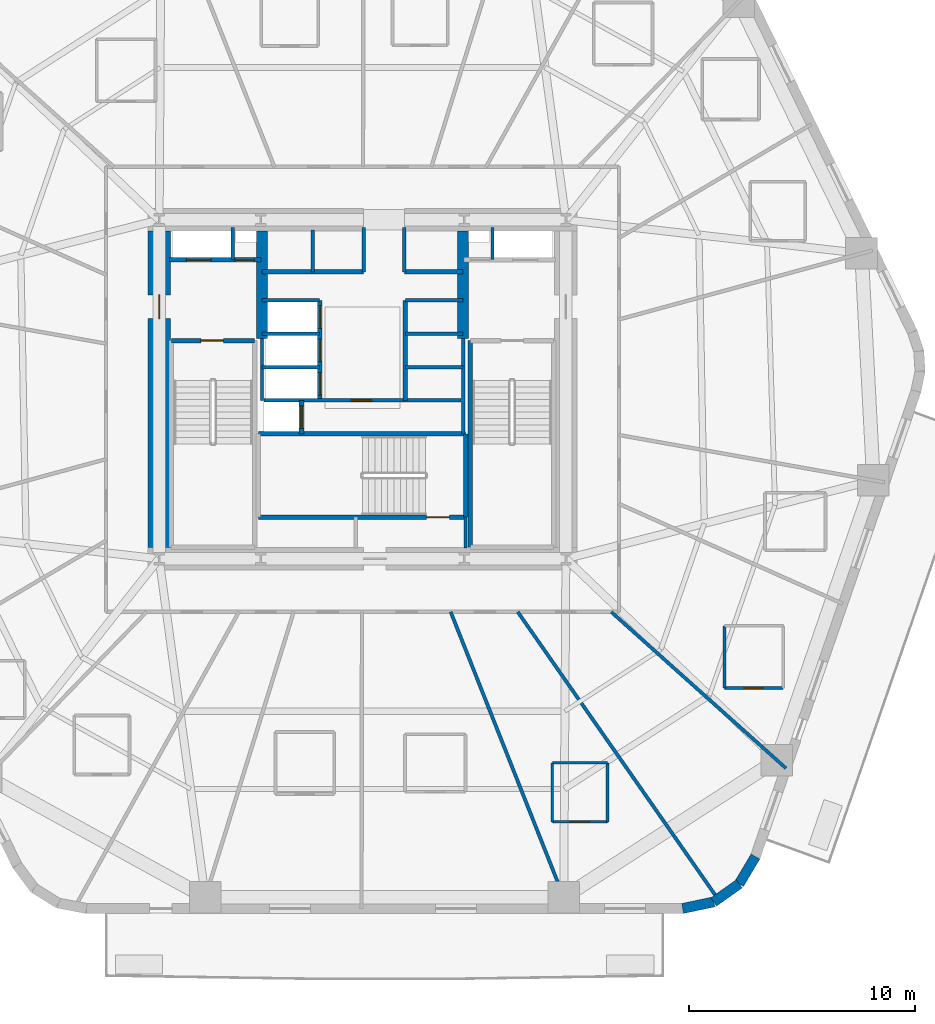
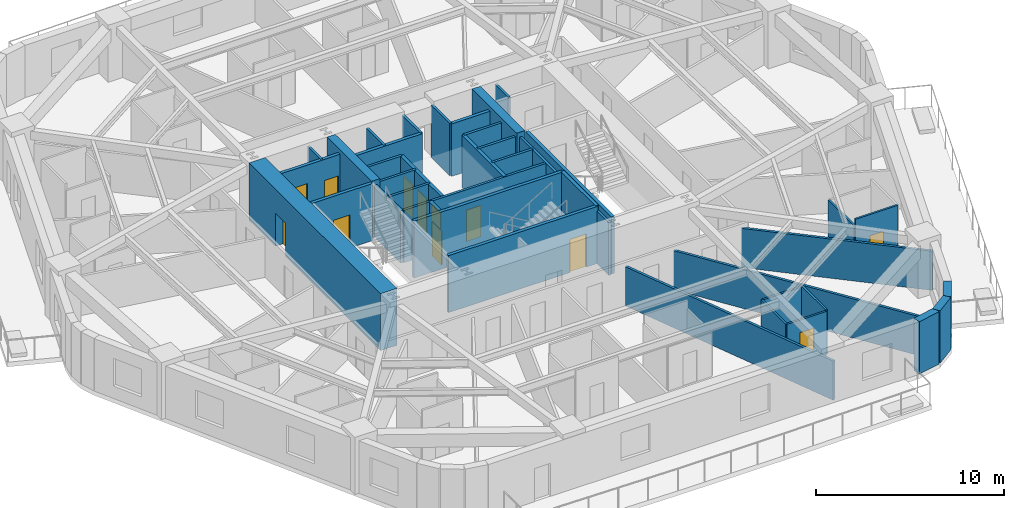
# One storey, part 4 of 11: 41 walls, 12 doors, 12 openings.
"""IFC4 building model written with IfcOpenShell, lengths in metres."""

from ifc_helpers import new_model, si_unit, direction, frame, frame_2d, origin, place, context, subcontext, project, spatial, rectangle, extrude, material, layer, layer_set, type_object, element, fill, save


model = new_model("IFC4")

# Units and contexts
model_context = context("Model", 3, precision=1e-05, world=origin(), true_north=direction((0.0, 1.0)))
body_context = subcontext(model_context, "Body", "Model", "MODEL_VIEW")
ifc_project = project(units=[si_unit("LENGTHUNIT", "METRE"), si_unit("AREAUNIT", "SQUARE_METRE"), si_unit("VOLUMEUNIT", "CUBIC_METRE"), si_unit("PLANEANGLEUNIT", "RADIAN"), si_unit("MASSUNIT", "GRAM", prefix="KILO")], contexts=[model_context])

# Site, building, storey
site_placement = place(None, origin())
site = spatial("IfcSite", under=ifc_project, at=site_placement, CompositionType="ELEMENT")
building_placement = place(site_placement, origin())
building = spatial("IfcBuilding", under=site, at=building_placement, Name="Kilnhurst Terrace Hotel", CompositionType="ELEMENT")
storey_placement = place(building_placement, frame((0.0, 0.0, 34.199951171875)))
storey = spatial("IfcBuildingStorey", under=building, at=storey_placement, Name="L06", CompositionType="ELEMENT", Elevation=34.199951171875)

# Walls
ifc_material_1 = material(Name="Precast concrete C40/50", Category="concrete")
ifc_layer_1 = layer(ifc_material_1, 0.449951171875, Name="Precast concrete C40/50")
ifc_layer_set_1 = layer_set([ifc_layer_1], Name="Precast concrete C40/50")
wall_type_1 = type_object("IfcWallType", Name="WL-BRK-450", PredefinedType="SOLIDWALL", material=ifc_layer_set_1)
wall_1_placement = place(storey_placement, frame((14.168212890625, -22.97509765625, 0.0), z_axis=(0.0, 0.0, 1.0), x_axis=(0.978770371074, 0.204959900243, 0.0)))
element("IfcWall", 1, at=wall_1_placement, inside=storey, type_object=wall_type_1, Name="L06 Rounded Corner Brick Wall C2.1", PredefinedType="SOLIDWALL", context=body_context, shape_type="SweptSolid", body=[
    extrude(rectangle(XDim=1.405517578125, YDim=0.449951171875, at=frame_2d((0.70263671875, 0.0))), origin(), (0.0, 0.0, 1.0), 3.400146484375),
])
wall_2_placement = place(storey_placement, frame((15.5439453125, -22.68701171875, 0.0), z_axis=(0.0, 0.0, 1.0), x_axis=(0.814210854316, 0.580569276412, 0.0)))
element("IfcWall", 2, at=wall_2_placement, inside=storey, type_object=wall_type_1, Name="L06 Rounded Corner Brick Wall C2.2", PredefinedType="SOLIDWALL", context=body_context, shape_type="SweptSolid", body=[
    extrude(rectangle(XDim=1.38134765625, YDim=0.449951171875, at=frame_2d((0.690673828125, 0.0))), origin(), (0.0, 0.0, 1.0), 3.400146484375),
])
wall_3_placement = place(storey_placement, frame((16.668701171875, -21.885009765625, 0.0), z_axis=(0.0, 0.0, 1.0), x_axis=(0.512936712947, 0.858426425799, 0.0)))
element("IfcWall", 3, at=wall_3_placement, inside=storey, type_object=wall_type_1, Name="L06 Rounded Corner Brick Wall C2.3", PredefinedType="SOLIDWALL", context=body_context, shape_type="SweptSolid", body=[
    extrude(rectangle(XDim=1.405517578125, YDim=0.449951171875, at=frame_2d((0.70263671875, 0.0))), origin(), (0.0, 0.0, 1.0), 3.400146484375),
])

# Wall, opening, door
ifc_material_2 = material(Name="Concrete C80/95", Category="concrete")
ifc_layer_2 = layer(ifc_material_2, 1.0, Name="Concrete C80/95")
ifc_layer_set_2 = layer_set([ifc_layer_2], Name="Concrete C80/95")
wall_type_2 = type_object("IfcWallType", Name="WL-CORE-1000", PredefinedType="SHEAR", material=ifc_layer_set_2)
wall_4_placement = place(storey_placement, frame((-9.0, -7.0, 0.0), z_axis=(0.0, 0.0, 1.0), x_axis=(0.0, 1.0, 0.0)))
wall_4 = element("IfcWall", 4, at=wall_4_placement, inside=storey, type_object=wall_type_2, Name="L06 Core West Shear Wall", PredefinedType="SHEAR", context=body_context, shape_type="SweptSolid", body=[
    extrude(rectangle(XDim=14.0, YDim=1.0, at=frame_2d((7.0, 0.0))), origin(), (0.0, 0.0, 1.0), 3.699951171875),
])
opening_1_placement = place(wall_4_placement, frame((10.125, 0.0, 0.0)))
opening_1 = element("IfcOpeningElement", 5, at=opening_1_placement, cuts=wall_4, Name="Opening D-90A", PredefinedType="OPENING", context=body_context, shape_type="SweptSolid", body=[
    extrude(rectangle(XDim=1.050048828125, YDim=2.14990234375, at=frame_2d((0.52490234375, 1.074951171875))), frame((0.0, 0.510009765625, 0.0), z_axis=(0.0, -1.0, 0.0), x_axis=(1.0, 0.0, 0.0)), (0.0, 0.0, 1.0), 1.02001953125),
])
ifc_material_3 = material(Name="Painted Hollow Metal Steel ASTM A36 Fire Door", Category="steel")
door_type_1 = type_object("IfcDoorType", Name="DR-FD90-1050", OperationType="NOTDEFINED", PredefinedType="DOOR", material=ifc_material_3)
door_1_placement = place(opening_1_placement, origin())
door_1 = element("IfcDoor", 6, at=door_1_placement, inside=storey, type_object=door_type_1, Name="L06 West Firefighting Lobby Door", OperationType="SINGLE_SWING_RIGHT", OverallHeight=2.14990234375, OverallWidth=1.050048828125, PredefinedType="DOOR", context=body_context, shape_type="SweptSolid", body=[
    extrude(rectangle(XDim=1.050048828125, YDim=2.14990234375, at=frame_2d((0.52490234375, 1.074951171875))), frame((0.0, 0.02490234375, 0.0), z_axis=(0.0, -1.0, 0.0), x_axis=(1.0, 0.0, 0.0)), (0.0, 0.0, 1.0), 0.050048828125),
])
fill(opening_1, door_1)

# Walls
ifc_material_4 = material(Name="Concrete C60/75", Category="concrete")
ifc_layer_3 = layer(ifc_material_4, 0.5, Name="Concrete C60/75")
ifc_layer_set_3 = layer_set([ifc_layer_3], Name="Concrete C60/75")
wall_type_3 = type_object("IfcWallType", Name="WL-CORE-WEB-500", PredefinedType="SHEAR", material=ifc_layer_set_3)
for number, where, z_axis, x_axis, name in (
    (7, (-4.449951171875, 2.25, 0.0), (0.0, 0.0, 1.0), (0.0, 1.0, 0.0), "L06 Core Internal West Shear Web"),
    (8, (4.449951171875, 2.25, 0.0), (0.0, 0.0, 1.0), (0.0, 1.0, 0.0), "L06 Core Internal East Shear Web"),
):
    element("IfcWall", number, at=place(storey_placement, frame(where, z_axis=z_axis, x_axis=x_axis)), inside=storey, type_object=wall_type_3, Name=name, PredefinedType="SHEAR", context=body_context, shape_type="SweptSolid", body=[
        extrude(rectangle(XDim=4.75, YDim=0.5, at=frame_2d((2.375, 0.0))), origin(), (0.0, 0.0, 1.0), 3.699951171875),
    ])
ifc_material_5 = material(Name="STC-58 Acoustic Twin-Frame Guestroom Demising Partition")
ifc_layer_4 = layer(ifc_material_5, 0.14990234375, Name="STC-58 Acoustic Twin-Frame Guestroom Demising Partition")
ifc_layer_set_4 = layer_set([ifc_layer_4], Name="STC-58 Acoustic Twin-Frame Guestroom Demising Partition")
wall_type_4 = type_object("IfcWallType", Name="WL-DEM-150", PredefinedType="PARTITIONING", material=ifc_layer_set_4)
wall_5_placement = place(storey_placement, frame((3.90185546875, -9.85009765625, 0.0), z_axis=(0.0, 0.0, 1.0), x_axis=(0.36828765711, -0.929711891728, 0.0)))
element("IfcWall", 9, at=wall_5_placement, inside=storey, type_object=wall_type_4, Name="L06 Interior Wall WL-L06-DEM-COL10-17-1", PredefinedType="PARTITIONING", context=body_context, shape_type="SweptSolid", body=[
    extrude(rectangle(XDim=14.1171875, YDim=0.14990234375, at=frame_2d((7.05859375, 0.0))), origin(), (0.0, 0.0, 1.0), 2.5400390625),
])
wall_6_placement = place(storey_placement, frame((6.869384765625, -9.85009765625, 0.0), z_axis=(0.0, 0.0, 1.0), x_axis=(0.572039834497, -0.820225839479, 0.0)))
element("IfcWall", 10, at=wall_6_placement, inside=storey, type_object=wall_type_4, Name="L06 Interior Wall WL-L06-DEM-MID10-18-1", PredefinedType="PARTITIONING", context=body_context, shape_type="SweptSolid", body=[
    extrude(rectangle(XDim=15.3291015625, YDim=0.14990234375, at=frame_2d((7.66455078125, 0.0))), origin(), (0.0, 0.0, 1.0), 2.5400390625),
])
wall_7_placement = place(storey_placement, frame((11.006591796875, -9.85009765625, 0.0), z_axis=(0.0, 0.0, 1.0), x_axis=(0.745177305978, -0.666866390407, 0.0)))
element("IfcWall", 11, at=wall_7_placement, inside=storey, type_object=wall_type_4, Name="L06 Interior Wall WL-L06-DEM-COL11-19-1", PredefinedType="PARTITIONING", context=body_context, shape_type="SweptSolid", body=[
    extrude(rectangle(XDim=10.375244140625, YDim=0.14990234375, at=frame_2d((5.1875, 0.0))), origin(), (0.0, 0.0, 1.0), 2.5400390625),
])

# Wall, opening, door
ifc_material_6 = material(Name="120 mm Moisture-Resistant Tile-Backed Bathroom Partition")
ifc_layer_5 = layer(ifc_material_6, 0.1201171875, Name="120 mm Moisture-Resistant Tile-Backed Bathroom Partition")
ifc_layer_set_5 = layer_set([ifc_layer_5], Name="120 mm Moisture-Resistant Tile-Backed Bathroom Partition")
wall_type_5 = type_object("IfcWallType", Name="WL-PART-120", PredefinedType="PARTITIONING", material=ifc_layer_set_5)
wall_8_placement = place(storey_placement, frame((8.39697265625, -19.14208984375, 0.0), z_axis=(0.0, 0.0, 1.0), x_axis=(1.0, 0.0, 0.0)))
wall_8 = element("IfcWall", 12, at=wall_8_placement, inside=storey, type_object=wall_type_5, Name="L06 Interior Wall WL-L06-BTH-17-1", PredefinedType="PARTITIONING", context=body_context, shape_type="SweptSolid", body=[
    extrude(rectangle(XDim=2.43994140625, YDim=0.1201171875, at=frame_2d((1.219970703125, 0.0))), origin(), (0.0, 0.0, 1.0), 2.840087890625),
])
opening_2_placement = place(wall_8_placement, frame((0.794921875, 0.0, 0.0)))
opening_2 = element("IfcOpeningElement", 13, at=opening_2_placement, cuts=wall_8, Name="Opening D-08A", PredefinedType="OPENING", context=body_context, shape_type="SweptSolid", body=[
    extrude(rectangle(XDim=0.85009765625, YDim=2.030029296875, at=frame_2d((0.425048828125, 1.01513671875))), frame((0.0, 0.070068359375, 0.0), z_axis=(0.0, -1.0, 0.0), x_axis=(1.0, 0.0, 0.0)), (0.0, 0.0, 1.0), 0.14013671875),
])
ifc_material_7 = material(Name="Moisture-Resistant Lacquered En-suite Bathroom Door")
door_type_2 = type_object("IfcDoorType", Name="DR-INT-850", OperationType="NOTDEFINED", PredefinedType="DOOR", material=ifc_material_7)
door_2_placement = place(opening_2_placement, origin())
door_2 = element("IfcDoor", 14, at=door_2_placement, inside=storey, type_object=door_type_2, Name="L06 En-suite Bathroom Door 17", OperationType="SINGLE_SWING_RIGHT", OverallHeight=2.030029296875, OverallWidth=0.85009765625, PredefinedType="DOOR", context=body_context, shape_type="SweptSolid", body=[
    extrude(rectangle(XDim=0.85009765625, YDim=2.030029296875, at=frame_2d((0.425048828125, 1.01513671875))), frame((0.0, 0.02490234375, 0.0), z_axis=(0.0, -1.0, 0.0), x_axis=(1.0, 0.0, 0.0)), (0.0, 0.0, 1.0), 0.050048828125),
])
fill(opening_2, door_2)

# Walls
wall_9_placement = place(storey_placement, frame((10.8369140625, -19.14208984375, 0.0), z_axis=(0.0, 0.0, 1.0), x_axis=(0.0, 1.0, 0.0)))
element("IfcWall", 15, at=wall_9_placement, inside=storey, type_object=wall_type_5, Name="L06 Interior Wall WL-L06-BTH-17-2", PredefinedType="PARTITIONING", context=body_context, shape_type="SweptSolid", body=[
    extrude(rectangle(XDim=2.610107421875, YDim=0.1201171875, at=frame_2d((1.30517578125, 0.0))), origin(), (0.0, 0.0, 1.0), 2.926513671875),
])
wall_10_placement = place(storey_placement, frame((10.8369140625, -16.531982421875, 0.0), z_axis=(0.0, 0.0, 1.0), x_axis=(-1.0, 0.0, 0.0)))
element("IfcWall", 16, at=wall_10_placement, inside=storey, type_object=wall_type_5, Name="L06 Interior Wall WL-L06-BTH-17-3", PredefinedType="PARTITIONING", context=body_context, shape_type="SweptSolid", body=[
    extrude(rectangle(XDim=2.43994140625, YDim=0.1201171875, at=frame_2d((1.219970703125, 0.0))), origin(), (0.0, 0.0, 1.0), 2.840087890625),
])
wall_11_placement = place(storey_placement, frame((8.39697265625, -16.531982421875, 0.0), z_axis=(0.0, 0.0, 1.0), x_axis=(0.0, -1.0, 0.0)))
element("IfcWall", 17, at=wall_11_placement, inside=storey, type_object=wall_type_5, Name="L06 Interior Wall WL-L06-BTH-17-4", PredefinedType="PARTITIONING", context=body_context, shape_type="SweptSolid", body=[
    extrude(rectangle(XDim=2.610107421875, YDim=0.1201171875, at=frame_2d((1.30517578125, 0.0))), origin(), (0.0, 0.0, 1.0), 2.840576171875),
])

# Wall, opening, door
wall_12_placement = place(storey_placement, frame((16.01904296875, -13.218994140625, 0.0), z_axis=(0.0, 0.0, 1.0), x_axis=(1.0, 0.0, 0.0)))
wall_12 = element("IfcWall", 18, at=wall_12_placement, inside=storey, type_object=wall_type_5, Name="L06 Interior Wall WL-L06-BTH-19-1", PredefinedType="PARTITIONING", context=body_context, shape_type="SweptSolid", body=[
    extrude(rectangle(XDim=2.599853515625, YDim=0.1201171875, at=frame_2d((1.2998046875, 0.0))), origin(), (0.0, 0.0, 1.0), 3.400146484375),
])
opening_3_placement = place(wall_12_placement, frame((0.875, 0.0, 0.0)))
opening_3 = element("IfcOpeningElement", 19, at=opening_3_placement, cuts=wall_12, Name="Opening D-08A", PredefinedType="OPENING", context=body_context, shape_type="SweptSolid", body=[
    extrude(rectangle(XDim=0.85009765625, YDim=2.030029296875, at=frame_2d((0.425048828125, 1.01513671875))), frame((0.0, 0.070068359375, 0.0), z_axis=(0.0, -1.0, 0.0), x_axis=(1.0, 0.0, 0.0)), (0.0, 0.0, 1.0), 0.14013671875),
])
door_3_placement = place(opening_3_placement, origin())
door_3 = element("IfcDoor", 20, at=door_3_placement, inside=storey, type_object=door_type_2, Name="L06 En-suite Bathroom Door 19", OperationType="SINGLE_SWING_RIGHT", OverallHeight=2.030029296875, OverallWidth=0.85009765625, PredefinedType="DOOR", context=body_context, shape_type="SweptSolid", body=[
    extrude(rectangle(XDim=0.85009765625, YDim=2.030029296875, at=frame_2d((0.425048828125, 1.01513671875))), frame((0.0, 0.02490234375, 0.0), z_axis=(0.0, -1.0, 0.0), x_axis=(1.0, 0.0, 0.0)), (0.0, 0.0, 1.0), 0.050048828125),
])
fill(opening_3, door_3)

# Walls
wall_13_placement = place(storey_placement, frame((16.01904296875, -10.468994140625, 0.0), z_axis=(0.0, 0.0, 1.0), x_axis=(0.0, -1.0, 0.0)))
element("IfcWall", 21, at=wall_13_placement, inside=storey, type_object=wall_type_5, Name="L06 Interior Wall WL-L06-BTH-19-4", PredefinedType="PARTITIONING", context=body_context, shape_type="SweptSolid", body=[
    extrude(rectangle(XDim=2.75, YDim=0.1201171875, at=frame_2d((1.375, 0.0))), origin(), (0.0, 0.0, 1.0), 2.972412109375),
])
ifc_material_8 = material(Name="Fire-Rated Gypsum Shaftliner Assembly")
ifc_layer_6 = layer(ifc_material_8, 0.14990234375, Name="Fire-Rated Gypsum Shaftliner Assembly")
ifc_layer_set_6 = layer_set([ifc_layer_6], Name="Fire-Rated Gypsum Shaftliner Assembly")
wall_type_6 = type_object("IfcWallType", Name="WL-SHAFT-150", PredefinedType="PARTITIONING", material=ifc_layer_set_6)
wall_14_placement = place(storey_placement, frame((4.55810546875, -7.02001953125, 0.0), z_axis=(0.0, 0.0, 1.0), x_axis=(0.0, 1.0, 0.0)))
element("IfcWall", 22, at=wall_14_placement, inside=storey, type_object=wall_type_6, Name="L06 Interior Wall WL-L06-ST3-PSGE", PredefinedType="PARTITIONING", context=body_context, shape_type="SweptSolid", body=[
    extrude(rectangle(XDim=1.362060546875, YDim=0.14990234375, at=frame_2d((0.68115234375, 0.0))), origin(), (0.0, 0.0, 1.0), 3.400146484375),
])
for number, where, z_axis, x_axis, name in (
    (23, (-5.75, 5.739990234375, 0.0), (0.0, 0.0, 1.0), (0.0, 1.0, 0.0), "L06 Interior Wall WL-L06-RIS1-DIV"),
    (24, (5.75, 5.739990234375, 0.0), (0.0, 0.0, 1.0), (0.0, 1.0, 0.0), "L06 Interior Wall WL-L06-RIS2-DIV"),
):
    element("IfcWall", number, at=place(storey_placement, frame(where, z_axis=z_axis, x_axis=x_axis)), inside=storey, type_object=wall_type_6, Name=name, PredefinedType="PARTITIONING", context=body_context, shape_type="SweptSolid", body=[
        extrude(rectangle(XDim=1.409912109375, YDim=0.14990234375, at=frame_2d((0.705078125, 0.0))), origin(), (0.0, 0.0, 1.0), 3.400146484375),
    ])
wall_15_placement = place(storey_placement, frame((-2.199951171875, 5.199951171875, 0.0), z_axis=(0.0, 0.0, 1.0), x_axis=(0.0, 1.0, 0.0)))
element("IfcWall", 25, at=wall_15_placement, inside=storey, type_object=wall_type_6, Name="L06 Interior Wall WL-L06-HR-DIV1", PredefinedType="PARTITIONING", context=body_context, shape_type="SweptSolid", body=[
    extrude(rectangle(XDim=1.85009765625, YDim=0.14990234375, at=frame_2d((0.925048828125, 0.0))), origin(), (0.0, 0.0, 1.0), 3.400146484375),
])
for number, where, z_axis, x_axis, name in (
    (26, (0.050048828125, 5.199951171875, 0.0), (0.0, 0.0, 1.0), (0.0, 1.0, 0.0), "L06 Interior Wall WL-L06-HR-PORTAL-W"),
    (27, (1.85009765625, 5.199951171875, 0.0), (0.0, 0.0, 1.0), (0.0, 1.0, 0.0), "L06 Interior Wall WL-L06-HR-PORTAL-E"),
):
    element("IfcWall", number, at=place(storey_placement, frame(where, z_axis=z_axis, x_axis=x_axis)), inside=storey, type_object=wall_type_6, Name=name, PredefinedType="PARTITIONING", context=body_context, shape_type="SweptSolid", body=[
        extrude(rectangle(XDim=1.949951171875, YDim=0.14990234375, at=frame_2d((0.97509765625, 0.0))), origin(), (0.0, 0.0, 1.0), 3.400146484375),
    ])
wall_16_placement = place(storey_placement, frame((-4.449951171875, -0.5, 0.0), z_axis=(0.0, 0.0, 1.0), x_axis=(0.0, 1.0, 0.0)))
element("IfcWall", 28, at=wall_16_placement, inside=storey, type_object=wall_type_6, Name="L06 Interior Wall WL-L06-XLOB-W", PredefinedType="PARTITIONING", context=body_context, shape_type="SweptSolid", body=[
    extrude(rectangle(XDim=2.75, YDim=0.14990234375, at=frame_2d((1.375, 0.0))), origin(), (0.0, 0.0, 1.0), 3.400146484375),
])
wall_17_placement = place(storey_placement, frame((4.449951171875, -1.971923828125, 0.0), z_axis=(0.0, 0.0, 1.0), x_axis=(0.0, 1.0, 0.0)))
element("IfcWall", 29, at=wall_17_placement, inside=storey, type_object=wall_type_6, Name="L06 Interior Wall WL-L06-XLOB-E", PredefinedType="PARTITIONING", context=body_context, shape_type="SweptSolid", body=[
    extrude(rectangle(XDim=4.221923828125, YDim=0.14990234375, at=frame_2d((2.11083984375, 0.0))), origin(), (0.0, 0.0, 1.0), 3.400146484375),
])
for number, where, z_axis, x_axis, name in (
    (30, (-4.449951171875, 3.93994140625, 0.0), (0.0, 0.0, 1.0), (1.0, 0.0, 0.0), "L06 Interior Wall WL-L06-LR-NORTH"),
    (31, (-4.449951171875, 0.97998046875, 0.0), (0.0, 0.0, 1.0), (1.0, 0.0, 0.0), "L06 Interior Wall WL-L06-LR-D1"),
    (32, (-4.449951171875, 2.4599609375, 0.0), (0.0, 0.0, 1.0), (1.0, 0.0, 0.0), "L06 Interior Wall WL-L06-LR-D2"),
    (33, (1.89990234375, 3.93994140625, 0.0), (0.0, 0.0, 1.0), (1.0, 0.0, 0.0), "L06 Interior Wall WL-L06-MR-NORTH"),
    (34, (1.89990234375, 0.97998046875, 0.0), (0.0, 0.0, 1.0), (1.0, 0.0, 0.0), "L06 Interior Wall WL-L06-MR-D1"),
    (35, (1.89990234375, 2.4599609375, 0.0), (0.0, 0.0, 1.0), (1.0, 0.0, 0.0), "L06 Interior Wall WL-L06-MR-D2"),
):
    element("IfcWall", number, at=place(storey_placement, frame(where, z_axis=z_axis, x_axis=x_axis)), inside=storey, type_object=wall_type_6, Name=name, PredefinedType="PARTITIONING", context=body_context, shape_type="SweptSolid", body=[
        extrude(rectangle(XDim=2.550048828125, YDim=0.14990234375, at=frame_2d((1.27490234375, 0.0))), origin(), (0.0, 0.0, 1.0), 3.400146484375),
    ])

# Wall, opening, door
wall_18_placement = place(storey_placement, frame((-4.360107421875, -0.489990234375, 0.0), z_axis=(0.0, 0.0, 1.0), x_axis=(1.0, 0.0, 0.0)))
wall_18 = element("IfcWall", 36, at=wall_18_placement, inside=storey, type_object=wall_type_6, Name="L06 Interior Wall WL-L06-BOH-N", PredefinedType="PARTITIONING", context=body_context, shape_type="SweptSolid", body=[
    extrude(rectangle(XDim=8.72021484375, YDim=0.14990234375, at=frame_2d((4.360107421875, 0.0))), origin(), (0.0, 0.0, 1.0), 3.400146484375),
])
opening_4_placement = place(wall_18_placement, frame((3.860107421875, 0.0, 0.0)))
opening_4 = element("IfcOpeningElement", 37, at=opening_4_placement, cuts=wall_18, Name="Opening D-60C", PredefinedType="OPENING", context=body_context, shape_type="SweptSolid", body=[
    extrude(rectangle(XDim=0.89990234375, YDim=2.030029296875, at=frame_2d((0.449951171875, 1.01513671875))), frame((0.0, 0.0849609375, 0.0), z_axis=(0.0, -1.0, 0.0), x_axis=(1.0, 0.0, 0.0)), (0.0, 0.0, 1.0), 0.169921875),
])
ifc_material_9 = material(Name="Painted Solid-Core Service Fire Door")
door_type_3 = type_object("IfcDoorType", Name="DR-FD60-900", OperationType="NOTDEFINED", PredefinedType="DOOR", material=ifc_material_9)
door_4_placement = place(opening_4_placement, origin())
door_4 = element("IfcDoor", 38, at=door_4_placement, inside=storey, type_object=door_type_3, Name="L06 Housekeeping Laundry Door", OperationType="SINGLE_SWING_LEFT", OverallHeight=2.030029296875, OverallWidth=0.89990234375, PredefinedType="DOOR", context=body_context, shape_type="SweptSolid", body=[
    extrude(rectangle(XDim=0.89990234375, YDim=2.030029296875, at=frame_2d((0.449951171875, 1.01513671875))), frame((0.0, 0.02490234375, 0.0), z_axis=(0.0, -1.0, 0.0), x_axis=(1.0, 0.0, 0.0)), (0.0, 0.0, 1.0), 0.050048828125),
])
fill(opening_4, door_4)

# Wall, openings, doors
ifc_material_10 = material(Name="Autoclaved Aerated Concrete C30/37 and Gypsum Shaft Assembly", Category="concrete")
ifc_layer_7 = layer(ifc_material_10, 0.199951171875, Name="Autoclaved Aerated Concrete C30/37 and Gypsum Shaft Assembly")
ifc_layer_set_7 = layer_set([ifc_layer_7], Name="Autoclaved Aerated Concrete C30/37 and Gypsum Shaft Assembly")
wall_type_7 = type_object("IfcWallType", Name="WL-SHAFT-200", PredefinedType="PARTITIONING", material=ifc_layer_set_7)
wall_19_placement = place(storey_placement, frame((-8.550048828125, 5.739990234375, 0.0), z_axis=(0.0, 0.0, 1.0), x_axis=(1.0, 0.0, 0.0)))
wall_19 = element("IfcWall", 39, at=wall_19_placement, inside=storey, type_object=wall_type_7, Name="L06 Interior Wall WL-L06-FSAE1-S", PredefinedType="PARTITIONING", context=body_context, shape_type="SweptSolid", body=[
    extrude(rectangle(XDim=4.050048828125, YDim=0.199951171875, at=frame_2d((2.02490234375, 0.0))), origin(), (0.0, 0.0, 1.0), 3.400146484375),
])
opening_5_placement = place(wall_19_placement, frame((0.75, 0.0, 0.0)))
opening_5 = element("IfcOpeningElement", 40, at=opening_5_placement, cuts=wall_19, Name="Opening LD-F1", PredefinedType="OPENING", context=body_context, shape_type="SweptSolid", body=[
    extrude(rectangle(XDim=1.10009765625, YDim=2.199951171875, at=frame_2d((0.550048828125, 1.10009765625))), frame((0.0, 0.10986328125, 0.0), z_axis=(0.0, -1.0, 0.0), x_axis=(1.0, 0.0, 0.0)), (0.0, 0.0, 1.0), 0.219970703125),
])
opening_6_placement = place(wall_19_placement, frame((2.89990234375, 0.0, 0.0)))
opening_6 = element("IfcOpeningElement", 41, at=opening_6_placement, cuts=wall_19, Name="Opening D-60D", PredefinedType="OPENING", context=body_context, shape_type="SweptSolid", body=[
    extrude(rectangle(XDim=0.85009765625, YDim=2.030029296875, at=frame_2d((0.425048828125, 1.01513671875))), frame((0.0, 0.10986328125, 0.0), z_axis=(0.0, -1.0, 0.0), x_axis=(1.0, 0.0, 0.0)), (0.0, 0.0, 1.0), 0.219970703125),
])
ifc_material_11 = material(Name="Painted Hollow Metal Steel ASTM A36 Riser Door", Category="steel")
door_type_4 = type_object("IfcDoorType", Name="DR-FD60-850", OperationType="NOTDEFINED", PredefinedType="DOOR", material=ifc_material_11)
door_5_placement = place(opening_6_placement, origin())
door_5 = element("IfcDoor", 42, at=door_5_placement, inside=storey, type_object=door_type_4, Name="L06 Electrical Riser Door", OperationType="SINGLE_SWING_LEFT", OverallHeight=2.030029296875, OverallWidth=0.85009765625, PredefinedType="DOOR", context=body_context, shape_type="SweptSolid", body=[
    extrude(rectangle(XDim=0.85009765625, YDim=2.030029296875, at=frame_2d((0.425048828125, 1.01513671875))), frame((0.0, 0.02490234375, 0.0), z_axis=(0.0, -1.0, 0.0), x_axis=(1.0, 0.0, 0.0)), (0.0, 0.0, 1.0), 0.050048828125),
])
fill(opening_6, door_5)
ifc_material_12 = material(Name="Bronze-Anodized Stainless Steel AISI 316L Sliding Door", Category="steel")
door_type_5 = type_object("IfcDoorType", Name="DR-LIFT-1100", OperationType="NOTDEFINED", PredefinedType="DOOR", material=ifc_material_12)
door_6_placement = place(opening_5_placement, origin())
door_6 = element("IfcDoor", 43, at=door_6_placement, inside=storey, type_object=door_type_5, Name="L06 FSAE-1 Landing Door", OperationType="SLIDING_TO_LEFT", OverallHeight=2.199951171875, OverallWidth=1.10009765625, PredefinedType="DOOR", context=body_context, shape_type="SweptSolid", body=[
    extrude(rectangle(XDim=1.10009765625, YDim=2.199951171875, at=frame_2d((0.550048828125, 1.10009765625))), frame((0.0, 0.02490234375, 0.0), z_axis=(0.0, -1.0, 0.0), x_axis=(1.0, 0.0, 0.0)), (0.0, 0.0, 1.0), 0.050048828125),
])
fill(opening_5, door_6)

# Wall, opening, door
wall_20_placement = place(storey_placement, frame((-2.699951171875, -1.971923828125, 0.0), z_axis=(0.0, 0.0, 1.0), x_axis=(0.0, 1.0, 0.0)))
wall_20 = element("IfcWall", 44, at=wall_20_placement, inside=storey, type_object=wall_type_7, Name="L06 Interior Wall WL-L06-SRV1-E", PredefinedType="PARTITIONING", context=body_context, shape_type="SweptSolid", body=[
    extrude(rectangle(XDim=1.471923828125, YDim=0.199951171875, at=frame_2d((0.73583984375, 0.0))), origin(), (0.0, 0.0, 1.0), 3.400146484375),
])
opening_7_placement = place(wall_20_placement, frame((0.239990234375, 0.0, 0.0)))
opening_7 = element("IfcOpeningElement", 45, at=opening_7_placement, cuts=wall_20, Name="Opening LD-SV", PredefinedType="OPENING", context=body_context, shape_type="SweptSolid", body=[
    extrude(rectangle(XDim=1.0, YDim=2.199951171875, at=frame_2d((0.5, 1.10009765625))), frame((0.0, 0.10986328125, 0.0), z_axis=(0.0, -1.0, 0.0), x_axis=(1.0, 0.0, 0.0)), (0.0, 0.0, 1.0), 0.219970703125),
])
door_type_6 = type_object("IfcDoorType", Name="DR-LIFT-1000", OperationType="NOTDEFINED", PredefinedType="DOOR", material=ifc_material_12)
door_7_placement = place(opening_7_placement, origin())
door_7 = element("IfcDoor", 46, at=door_7_placement, inside=storey, type_object=door_type_6, Name="L06 Service Lift SRV-1 Landing Door", OperationType="SLIDING_TO_LEFT", OverallHeight=2.199951171875, OverallWidth=1.0, PredefinedType="DOOR", context=body_context, shape_type="SweptSolid", body=[
    extrude(rectangle(XDim=1.0, YDim=2.199951171875, at=frame_2d((0.5, 1.10009765625))), frame((0.0, 0.02490234375, 0.0), z_axis=(0.0, -1.0, 0.0), x_axis=(1.0, 0.0, 0.0)), (0.0, 0.0, 1.0), 0.050048828125),
])
fill(opening_7, door_7)

# Walls
wall_21_placement = place(storey_placement, frame((-4.449951171875, 5.199951171875, 0.0), z_axis=(0.0, 0.0, 1.0), x_axis=(1.0, 0.0, 0.0)))
element("IfcWall", 47, at=wall_21_placement, inside=storey, type_object=wall_type_7, Name="L06 Interior Wall WL-L06-HR-SW", PredefinedType="PARTITIONING", context=body_context, shape_type="SweptSolid", body=[
    extrude(rectangle(XDim=4.5, YDim=0.199951171875, at=frame_2d((2.25, 0.0))), origin(), (0.0, 0.0, 1.0), 3.400146484375),
])
wall_22_placement = place(storey_placement, frame((1.85009765625, 5.199951171875, 0.0), z_axis=(0.0, 0.0, 1.0), x_axis=(1.0, 0.0, 0.0)))
element("IfcWall", 48, at=wall_22_placement, inside=storey, type_object=wall_type_7, Name="L06 Interior Wall WL-L06-HR-SE", PredefinedType="PARTITIONING", context=body_context, shape_type="SweptSolid", body=[
    extrude(rectangle(XDim=2.599853515625, YDim=0.199951171875, at=frame_2d((1.2998046875, 0.0))), origin(), (0.0, 0.0, 1.0), 3.400146484375),
])

# Wall, openings, doors
wall_23_placement = place(storey_placement, frame((-1.89990234375, -0.5, 0.0), z_axis=(0.0, 0.0, 1.0), x_axis=(0.0, 1.0, 0.0)))
wall_23 = element("IfcWall", 49, at=wall_23_placement, inside=storey, type_object=wall_type_7, Name="L06 Interior Wall WL-L06-LR-FRONT", PredefinedType="PARTITIONING", context=body_context, shape_type="SweptSolid", body=[
    extrude(rectangle(XDim=4.43994140625, YDim=0.199951171875, at=frame_2d((2.219970703125, 0.0))), origin(), (0.0, 0.0, 1.0), 3.400146484375),
])
opening_8_placement = place(wall_23_placement, frame((0.239990234375, 0.0, 0.0)))
opening_8 = element("IfcOpeningElement", 50, at=opening_8_placement, cuts=wall_23, Name="Opening LD-LR", PredefinedType="OPENING", context=body_context, shape_type="SweptSolid", body=[
    extrude(rectangle(XDim=1.0, YDim=2.199951171875, at=frame_2d((0.5, 1.10009765625))), frame((0.0, 0.10986328125, 0.0), z_axis=(0.0, -1.0, 0.0), x_axis=(1.0, 0.0, 0.0)), (0.0, 0.0, 1.0), 0.219970703125),
])
opening_9_placement = place(wall_23_placement, frame((1.719970703125, 0.0, 0.0)))
opening_9 = element("IfcOpeningElement", 51, at=opening_9_placement, cuts=wall_23, Name="Opening LD-LR", PredefinedType="OPENING", context=body_context, shape_type="SweptSolid", body=[
    extrude(rectangle(XDim=1.0, YDim=2.199951171875, at=frame_2d((0.5, 1.10009765625))), frame((0.0, 0.10986328125, 0.0), z_axis=(0.0, -1.0, 0.0), x_axis=(1.0, 0.0, 0.0)), (0.0, 0.0, 1.0), 0.219970703125),
])
opening_10_placement = place(wall_23_placement, frame((3.199951171875, 0.0, 0.0)))
opening_10 = element("IfcOpeningElement", 52, at=opening_10_placement, cuts=wall_23, Name="Opening LD-LR", PredefinedType="OPENING", context=body_context, shape_type="SweptSolid", body=[
    extrude(rectangle(XDim=1.0, YDim=2.199951171875, at=frame_2d((0.5, 1.10009765625))), frame((0.0, 0.10986328125, 0.0), z_axis=(0.0, -1.0, 0.0), x_axis=(1.0, 0.0, 0.0)), (0.0, 0.0, 1.0), 0.219970703125),
])
door_8_placement = place(opening_8_placement, origin())
door_8 = element("IfcDoor", 53, at=door_8_placement, inside=storey, type_object=door_type_6, Name="L06 Low Rise Lift LR-1 Landing Door", OperationType="SLIDING_TO_LEFT", OverallHeight=2.199951171875, OverallWidth=1.0, PredefinedType="DOOR", context=body_context, shape_type="SweptSolid", body=[
    extrude(rectangle(XDim=1.0, YDim=2.199951171875, at=frame_2d((0.5, 1.10009765625))), frame((0.0, 0.02490234375, 0.0), z_axis=(0.0, -1.0, 0.0), x_axis=(1.0, 0.0, 0.0)), (0.0, 0.0, 1.0), 0.050048828125),
])
fill(opening_8, door_8)
door_9_placement = place(opening_9_placement, origin())
door_9 = element("IfcDoor", 54, at=door_9_placement, inside=storey, type_object=door_type_6, Name="L06 Low Rise Lift LR-2 Landing Door", OperationType="SLIDING_TO_LEFT", OverallHeight=2.199951171875, OverallWidth=1.0, PredefinedType="DOOR", context=body_context, shape_type="SweptSolid", body=[
    extrude(rectangle(XDim=1.0, YDim=2.199951171875, at=frame_2d((0.5, 1.10009765625))), frame((0.0, 0.02490234375, 0.0), z_axis=(0.0, -1.0, 0.0), x_axis=(1.0, 0.0, 0.0)), (0.0, 0.0, 1.0), 0.050048828125),
])
fill(opening_9, door_9)
door_10_placement = place(opening_10_placement, origin())
door_10 = element("IfcDoor", 55, at=door_10_placement, inside=storey, type_object=door_type_6, Name="L06 Low Rise Lift LR-3 Landing Door", OperationType="SLIDING_TO_LEFT", OverallHeight=2.199951171875, OverallWidth=1.0, PredefinedType="DOOR", context=body_context, shape_type="SweptSolid", body=[
    extrude(rectangle(XDim=1.0, YDim=2.199951171875, at=frame_2d((0.5, 1.10009765625))), frame((0.0, 0.02490234375, 0.0), z_axis=(0.0, -1.0, 0.0), x_axis=(1.0, 0.0, 0.0)), (0.0, 0.0, 1.0), 0.050048828125),
])
fill(opening_10, door_10)

# Wall
wall_24_placement = place(storey_placement, frame((1.89990234375, -0.5, 0.0), z_axis=(0.0, 0.0, 1.0), x_axis=(0.0, 1.0, 0.0)))
element("IfcWall", 56, at=wall_24_placement, inside=storey, type_object=wall_type_7, Name="L06 Interior Wall WL-L06-MR-FRONT", PredefinedType="PARTITIONING", context=body_context, shape_type="SweptSolid", body=[
    extrude(rectangle(XDim=4.43994140625, YDim=0.199951171875, at=frame_2d((2.219970703125, 0.0))), origin(), (0.0, 0.0, 1.0), 3.400146484375),
])

# Wall, opening, door
ifc_material_13 = material(Name="Concrete C50/60", Category="concrete")
ifc_layer_8 = layer(ifc_material_13, 0.199951171875, Name="Concrete C50/60")
ifc_layer_set_8 = layer_set([ifc_layer_8], Name="Concrete C50/60")
wall_type_8 = type_object("IfcWallType", Name="WL-STAIR-RC-200", PredefinedType="SHEAR", material=ifc_layer_set_8)
wall_25_placement = place(storey_placement, frame((-8.4580078125, 2.157958984375, 0.0), z_axis=(0.0, 0.0, 1.0), x_axis=(1.0, 0.0, 0.0)))
wall_25 = element("IfcWall", 57, at=wall_25_placement, inside=storey, type_object=wall_type_8, Name="L06 Structural Stair Shaft Wall WL-L06-ST1-N", PredefinedType="SHEAR", context=body_context, shape_type="SweptSolid", body=[
    extrude(rectangle(XDim=3.68603515625, YDim=0.199951171875, at=frame_2d((1.843017578125, 0.0))), origin(), (0.0, 0.0, 1.0), 3.699951171875),
])
opening_11_placement = place(wall_25_placement, frame((1.300048828125, 0.0, 0.0)))
opening_11 = element("IfcOpeningElement", 58, at=opening_11_placement, cuts=wall_25, Name="Opening D-90B", PredefinedType="OPENING", context=body_context, shape_type="SweptSolid", body=[
    extrude(rectangle(XDim=1.0, YDim=2.14990234375, at=frame_2d((0.5, 1.074951171875))), frame((0.0, 0.10986328125, 0.0), z_axis=(0.0, -1.0, 0.0), x_axis=(1.0, 0.0, 0.0)), (0.0, 0.0, 1.0), 0.219970703125),
])
door_type_7 = type_object("IfcDoorType", Name="DR-FD90-1000", OperationType="NOTDEFINED", PredefinedType="DOOR", material=ifc_material_3)
door_11_placement = place(opening_11_placement, origin())
door_11 = element("IfcDoor", 59, at=door_11_placement, inside=storey, type_object=door_type_7, Name="L06 Stair ST-1 Door", OperationType="SINGLE_SWING_LEFT", OverallHeight=2.14990234375, OverallWidth=1.0, PredefinedType="DOOR", context=body_context, shape_type="SweptSolid", body=[
    extrude(rectangle(XDim=1.0, YDim=2.14990234375, at=frame_2d((0.5, 1.074951171875))), frame((0.0, 0.02490234375, 0.0), z_axis=(0.0, -1.0, 0.0), x_axis=(1.0, 0.0, 0.0)), (0.0, 0.0, 1.0), 0.050048828125),
])
fill(opening_11, door_11)

# Wall
wall_26_placement = place(storey_placement, frame((4.77197265625, -6.985107421875, 0.0), z_axis=(0.0, 0.0, 1.0), x_axis=(0.0, 1.0, 0.0)))
element("IfcWall", 60, at=wall_26_placement, inside=storey, type_object=wall_type_8, Name="L06 Structural Stair Shaft Wall WL-L06-ST2-W", PredefinedType="SHEAR", context=body_context, shape_type="SweptSolid", body=[
    extrude(rectangle(XDim=9.14306640625, YDim=0.199951171875, at=frame_2d((4.571533203125, 0.0))), origin(), (0.0, 0.0, 1.0), 3.699951171875),
])

# Wall, opening, door
wall_27_placement = place(storey_placement, frame((-4.60791015625, -5.657958984375, 0.0), z_axis=(0.0, 0.0, 1.0), x_axis=(1.0, 0.0, 0.0)))
wall_27 = element("IfcWall", 61, at=wall_27_placement, inside=storey, type_object=wall_type_8, Name="L06 Structural Stair Shaft Wall WL-L06-ST3-S", PredefinedType="SHEAR", context=body_context, shape_type="SweptSolid", body=[
    extrude(rectangle(XDim=9.166015625, YDim=0.199951171875, at=frame_2d((4.5830078125, 0.0))), origin(), (0.0, 0.0, 1.0), 3.699951171875),
])
opening_12_placement = place(wall_27_placement, frame((7.449951171875, 0.0, 0.0)))
opening_12 = element("IfcOpeningElement", 62, at=opening_12_placement, cuts=wall_27, Name="Opening D-90B", PredefinedType="OPENING", context=body_context, shape_type="SweptSolid", body=[
    extrude(rectangle(XDim=1.0, YDim=2.14990234375, at=frame_2d((0.5, 1.074951171875))), frame((0.0, 0.10986328125, 0.0), z_axis=(0.0, -1.0, 0.0), x_axis=(1.0, 0.0, 0.0)), (0.0, 0.0, 1.0), 0.219970703125),
])
door_12_placement = place(opening_12_placement, origin())
door_12 = element("IfcDoor", 63, at=door_12_placement, inside=storey, type_object=door_type_7, Name="L06 Stair ST-3 Shaft Door", OperationType="SINGLE_SWING_LEFT", OverallHeight=2.14990234375, OverallWidth=1.0, PredefinedType="DOOR", context=body_context, shape_type="SweptSolid", body=[
    extrude(rectangle(XDim=1.0, YDim=2.14990234375, at=frame_2d((0.5, 1.074951171875))), frame((0.0, 0.02490234375, 0.0), z_axis=(0.0, -1.0, 0.0), x_axis=(1.0, 0.0, 0.0)), (0.0, 0.0, 1.0), 0.050048828125),
])
fill(opening_12, door_12)

# Walls
wall_28_placement = place(storey_placement, frame((-4.60791015625, -1.971923828125, 0.0), z_axis=(0.0, 0.0, 1.0), x_axis=(1.0, 0.0, 0.0)))
element("IfcWall", 64, at=wall_28_placement, inside=storey, type_object=wall_type_8, Name="L06 Structural Stair Shaft Wall WL-L06-ST3-N", PredefinedType="SHEAR", context=body_context, shape_type="SweptSolid", body=[
    extrude(rectangle(XDim=9.166015625, YDim=0.199951171875, at=frame_2d((4.5830078125, 0.0))), origin(), (0.0, 0.0, 1.0), 3.699951171875),
])
wall_29_placement = place(storey_placement, frame((4.55810546875, -5.657958984375, 0.0), z_axis=(0.0, 0.0, 1.0), x_axis=(0.0, 1.0, 0.0)))
element("IfcWall", 65, at=wall_29_placement, inside=storey, type_object=wall_type_8, Name="L06 Structural Stair Shaft Wall WL-L06-ST3-E", PredefinedType="SHEAR", context=body_context, shape_type="SweptSolid", body=[
    extrude(rectangle(XDim=3.68603515625, YDim=0.199951171875, at=frame_2d((1.843017578125, 0.0))), origin(), (0.0, 0.0, 1.0), 3.699951171875),
])

save(model, "model.ifc")
